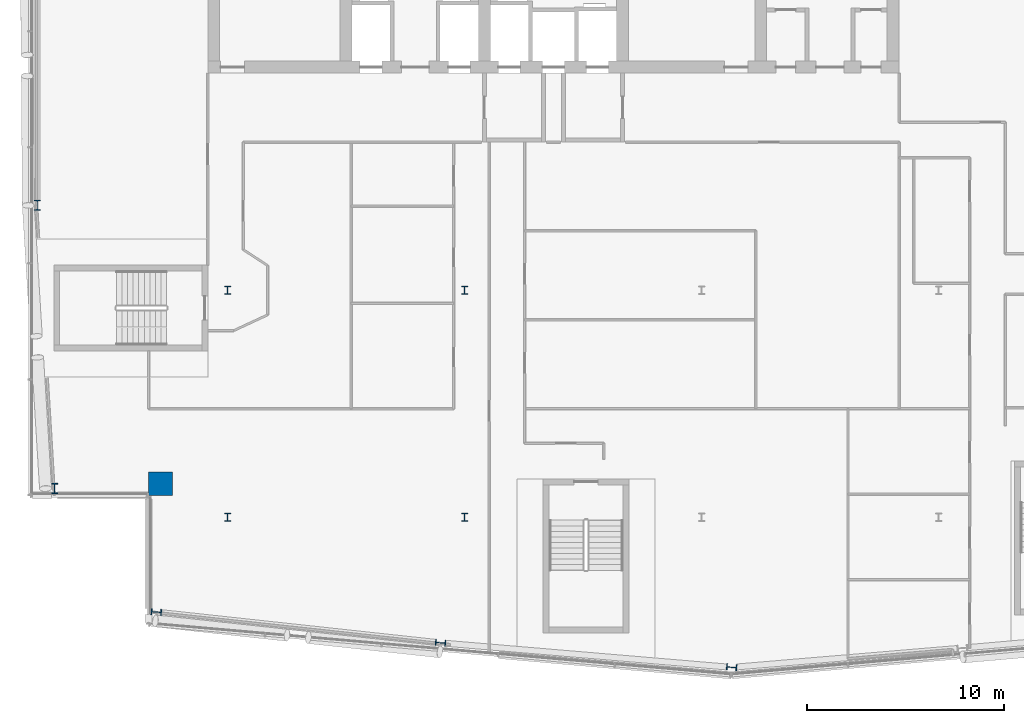
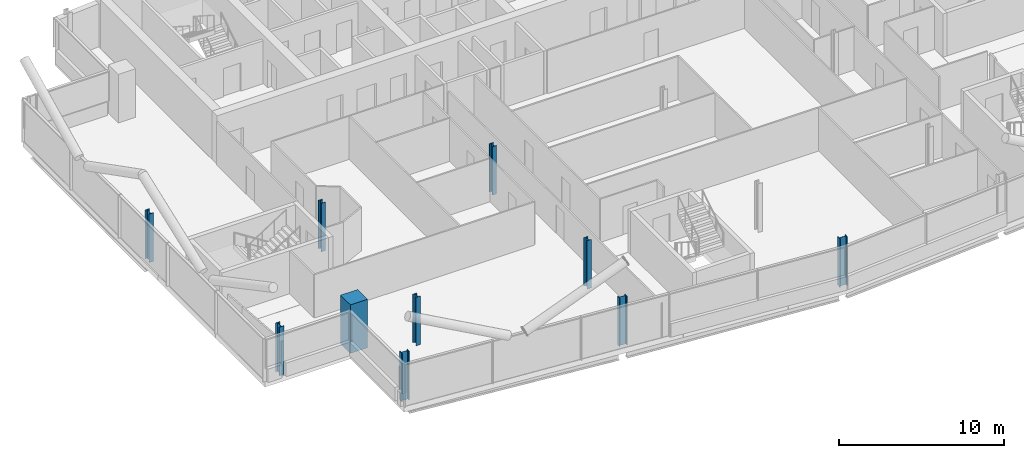
# One storey, part 1 of 27: 10 columns.
"""IFC4 building model written with IfcOpenShell, lengths in metres."""

from ifc_helpers import new_model, si_unit, direction, frame, origin, origin_2d, place, context, subcontext, project, spatial, rectangle, i_section, extrude, material, material_profile, profile_set, type_object, element, save


model = new_model("IFC4")

# Units and contexts
model_context = context("Model", 3, precision=1e-05, world=origin(), true_north=direction((0.0, 1.0)))
body_context = subcontext(model_context, "Body", "Model", "MODEL_VIEW")
ifc_project = project(units=[si_unit("LENGTHUNIT", "METRE"), si_unit("AREAUNIT", "SQUARE_METRE"), si_unit("VOLUMEUNIT", "CUBIC_METRE"), si_unit("PLANEANGLEUNIT", "RADIAN"), si_unit("MASSUNIT", "GRAM", prefix="KILO")], contexts=[model_context])

# Site, building, storey
site_placement = place(None, origin())
site = spatial("IfcSite", under=ifc_project, at=site_placement, CompositionType="ELEMENT")
building_placement = place(site_placement, origin())
building = spatial("IfcBuilding", under=site, at=building_placement, Name="Wharfspan Tower", CompositionType="ELEMENT")
storey_placement = place(building_placement, frame((0.0, 0.0, 228.699951)))
storey = spatial("IfcBuildingStorey", under=building, at=storey_placement, Name="L57", CompositionType="ELEMENT", Elevation=228.699951)

# Columns
ifc_material_1 = material(Name="Steel S355J2", Category="steel")
ifc_material_profile_1 = material_profile(ifc_material_1, i_section(OverallWidth=0.300049, OverallDepth=0.399902, WebThickness=0.013428, FlangeThickness=0.023926, FilletRadius=0.0271, at=origin_2d()))
ifc_profile_set_1 = profile_set([ifc_material_profile_1], Name="Steel S355J2")
column_type_1 = type_object("IfcColumnType", Name="Column HEB 400", PredefinedType="COLUMN", material=ifc_profile_set_1)
for number, where, z_axis, x_axis, name in (
    (1, (24.0, 11.5, 0.0), (0.0, 0.0, 1.0), (1.0, 0.0, 0.0), "Interior column I.1.1 L57"),
    (2, (36.0, 11.5, 0.0), (0.0, 0.0, 1.0), (1.0, 0.0, 0.0), "Interior column I.1.2 L57"),
    (3, (24.0, 23.0, 0.0), (0.0, 0.0, 1.0), (1.0, 0.0, 0.0), "Interior column I.2.1 L57"),
    (4, (36.0, 23.0, 0.0), (0.0, 0.0, 1.0), (1.0, 0.0, 0.0), "Interior column I.2.2 L57"),
):
    element("IfcColumn", number, at=place(storey_placement, frame(where, z_axis=z_axis, x_axis=x_axis)), inside=storey, type_object=column_type_1, Name=name, PredefinedType="COLUMN", context=body_context, shape_type="SweptSolid", body=[
        extrude(i_section(OverallWidth=0.300049, OverallDepth=0.399902, WebThickness=0.013428, FlangeThickness=0.023926, FilletRadius=0.0271, at=origin_2d()), origin(), (0.0, 0.0, 1.0), 3.600098),
    ])
ifc_material_profile_2 = material_profile(ifc_material_1, i_section(OverallWidth=0.305908, OverallDepth=0.523926, WebThickness=0.020996, FlangeThickness=0.040039, FilletRadius=0.0271, at=origin_2d()))
ifc_profile_set_2 = profile_set([ifc_material_profile_2], Name="Steel S355J2")
column_type_2 = type_object("IfcColumnType", Name="Column HEM 500", PredefinedType="COLUMN", material=ifc_profile_set_2)
for number, where, z_axis, x_axis, name in (
    (5, (20.392334, 6.702637, 0.0), (0.0, 0.0, 1.0), (-0.087156, -0.996197, 0.0), "Perimeter column PS1.1 L57"),
    (6, (34.781494, 5.143311, 0.0), (0.0, 0.0, 1.0), (-0.087156, -0.996197, 0.0), "Perimeter column PS1.2 L57"),
    (7, (49.522949, 3.9021, 0.0), (0.0, 0.0, 1.0), (-0.087156, -0.996197, 0.0), "Perimeter column PS1.3 L57"),
    (8, (14.360107, 27.300049, 0.0), (0.0, 0.0, 1.0), (-1.0, 0.0, 0.0), "Perimeter column PW.1 L57"),
    (9, (15.237793, 12.963379, 0.0), (0.0, 0.0, 1.0), (-1.0, 0.0, 0.0), "Perimeter column PW.2 L57"),
):
    element("IfcColumn", number, at=place(storey_placement, frame(where, z_axis=z_axis, x_axis=x_axis)), inside=storey, type_object=column_type_2, Name=name, PredefinedType="COLUMN", context=body_context, shape_type="SweptSolid", body=[
        extrude(i_section(OverallWidth=0.305908, OverallDepth=0.523926, WebThickness=0.020996, FlangeThickness=0.040039, FilletRadius=0.0271, at=origin_2d()), origin(), (0.0, 0.0, 1.0), 3.600098),
    ])
ifc_material_2 = material(Name="Concrete C50/60", Category="concrete")
ifc_material_profile_3 = material_profile(ifc_material_2, rectangle(XDim=1.199951, YDim=1.199951, at=origin_2d()))
ifc_profile_set_3 = profile_set([ifc_material_profile_3], Name="Concrete C50/60")
column_type_3 = type_object("IfcColumnType", Name="Mega column 1200 C50/60", PredefinedType="COLUMN", material=ifc_profile_set_3)
column_placement = place(storey_placement, frame((20.600098, 13.199951, 0.0), z_axis=(0.0, 0.0, 1.0), x_axis=(1.0, 0.0, 0.0)))
element("IfcColumn", 10, at=column_placement, inside=storey, type_object=column_type_3, Name="Mega column MC1 L57", PredefinedType="COLUMN", context=body_context, shape_type="SweptSolid", body=[
    extrude(rectangle(XDim=1.199951, YDim=1.199951, at=origin_2d()), origin(), (0.0, 0.0, 1.0), 3.600098),
])

save(model, "model.ifc")
